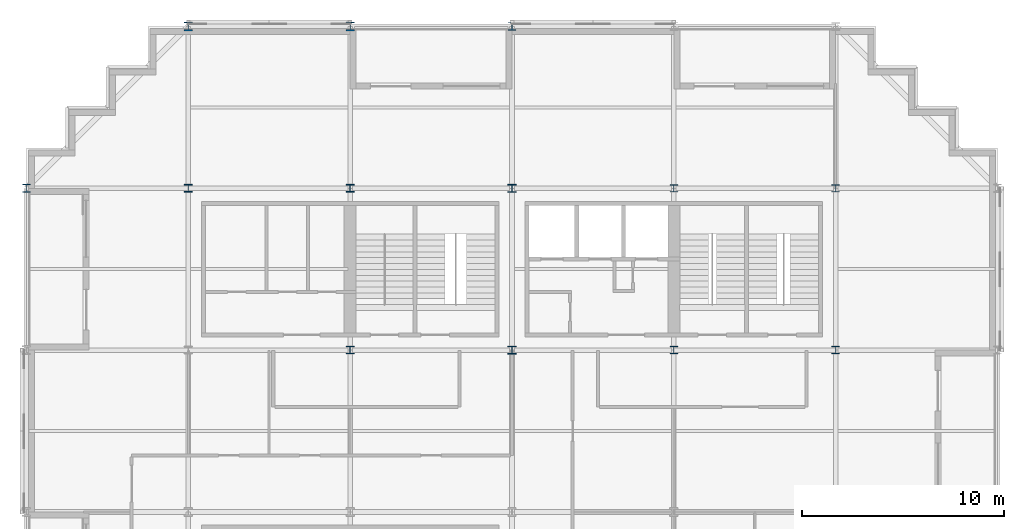
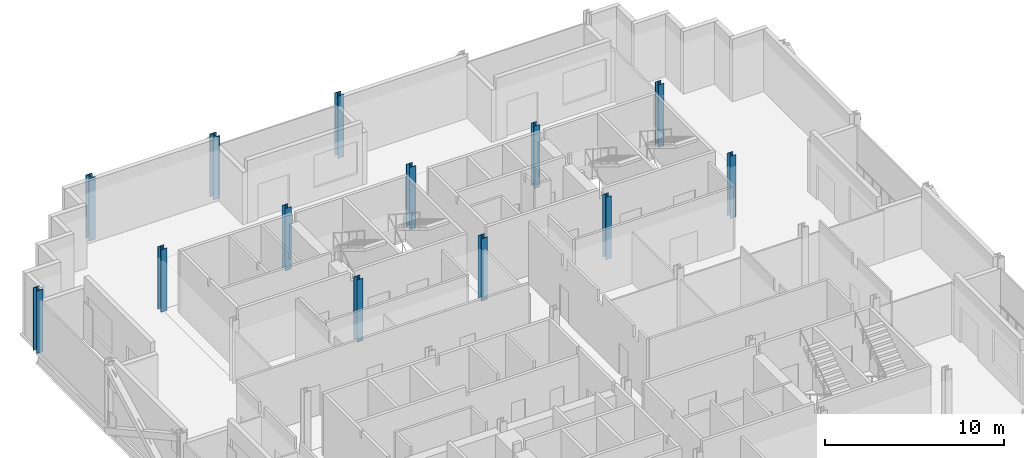
# One storey, part 2 of 13: 13 columns.
"""IFC4 building model written with IfcOpenShell, lengths in metres."""

from ifc_helpers import new_model, si_unit, direction, frame, origin, origin_2d, place, context, subcontext, project, spatial, i_section, extrude, material, material_profile, profile_set, type_object, element, save


model = new_model("IFC4")

# Units and contexts
model_context = context("Model", 3, precision=1e-05, world=origin(), true_north=direction((0.0, 1.0)))
body_context = subcontext(model_context, "Body", "Model", "MODEL_VIEW")
ifc_project = project(units=[si_unit("LENGTHUNIT", "METRE"), si_unit("AREAUNIT", "SQUARE_METRE"), si_unit("VOLUMEUNIT", "CUBIC_METRE"), si_unit("PLANEANGLEUNIT", "RADIAN"), si_unit("MASSUNIT", "GRAM", prefix="KILO")], contexts=[model_context])

# Site, building, storey
site_placement = place(None, origin())
site = spatial("IfcSite", under=ifc_project, at=site_placement, CompositionType="ELEMENT")
building_placement = place(site_placement, origin())
building = spatial("IfcBuilding", under=site, at=building_placement, Name="Immortelle Media Tower", CompositionType="ELEMENT")
storey_placement = place(building_placement, frame((0.0, 0.0, 74.39990234375)))
storey = spatial("IfcBuildingStorey", under=building, at=storey_placement, Name="L13", CompositionType="ELEMENT", Elevation=74.39990234375)

# Columns
ifc_material = material(Name="Steel ASTM A992 Gr 50", Category="steel")
ifc_material_profile_1 = material_profile(ifc_material, i_section(OverallWidth=0.39404296875, OverallDepth=0.3759765625, WebThickness=0.01708984375, FlangeThickness=0.028076171875, at=origin_2d()), Name="W14x145")
ifc_profile_set_1 = profile_set([ifc_material_profile_1], Name="Steel ASTM A992 Gr 50")
column_type_1 = type_object("IfcColumnType", Name="W14x145 column", PredefinedType="COLUMN", material=ifc_profile_set_1)
for number, where, z_axis, x_axis, name in (
    (1, (8.0, 40.0, 0.0), (0.0, 0.0, 1.0), (1.0, 0.0, 0.0), "Column 2/F"),
    (2, (16.0, 32.0, 0.0), (0.0, 0.0, 1.0), (1.0, 0.0, 0.0), "Column 3/E"),
    (3, (16.0, 40.0, 0.0), (0.0, 0.0, 1.0), (1.0, 0.0, 0.0), "Column 3/F"),
):
    element("IfcColumn", number, at=place(storey_placement, frame(where, z_axis=z_axis, x_axis=x_axis)), inside=storey, type_object=column_type_1, Name=name, PredefinedType="COLUMN", context=body_context, shape_type="SweptSolid", body=[
        extrude(i_section(OverallWidth=0.39404296875, OverallDepth=0.3759765625, WebThickness=0.01708984375, FlangeThickness=0.028076171875, at=origin_2d()), origin(), (0.0, 0.0, 1.0), 4.25),
    ])
ifc_material_profile_2 = material_profile(ifc_material, i_section(OverallWidth=0.39892578125, OverallDepth=0.385986328125, WebThickness=0.02099609375, FlangeThickness=0.032958984375, at=origin_2d()), Name="W14x176")
ifc_profile_set_2 = profile_set([ifc_material_profile_2], Name="Steel ASTM A992 Gr 50")
column_type_2 = type_object("IfcColumnType", Name="W14x176 column", PredefinedType="COLUMN", material=ifc_profile_set_2)
for number, where, z_axis, x_axis, name in (
    (4, (24.0, 32.0, 0.0), (0.0, 0.0, 1.0), (1.0, 0.0, 0.0), "Column 4/E"),
    (5, (24.0, 40.0, 0.0), (0.0, 0.0, 1.0), (1.0, 0.0, 0.0), "Column 4/F"),
):
    element("IfcColumn", number, at=place(storey_placement, frame(where, z_axis=z_axis, x_axis=x_axis)), inside=storey, type_object=column_type_2, Name=name, PredefinedType="COLUMN", context=body_context, shape_type="SweptSolid", body=[
        extrude(i_section(OverallWidth=0.39892578125, OverallDepth=0.385986328125, WebThickness=0.02099609375, FlangeThickness=0.032958984375, at=origin_2d()), origin(), (0.0, 0.0, 1.0), 4.25),
    ])
ifc_material_profile_3 = material_profile(ifc_material, i_section(OverallWidth=0.40087890625, OverallDepth=0.39892578125, WebThickness=0.02490234375, FlangeThickness=0.0400390625, at=origin_2d()), Name="W14x211")
ifc_profile_set_3 = profile_set([ifc_material_profile_3], Name="Steel ASTM A992 Gr 50")
column_type_3 = type_object("IfcColumnType", Name="W14x211 column", PredefinedType="COLUMN", material=ifc_profile_set_3)
for number, where, z_axis, x_axis, name in (
    (6, (0.0, 40.0, 0.0), (0.0, 0.0, 1.0), (1.0, 0.0, 0.0), "Column 1/F"),
    (7, (24.0, 48.0, 0.0), (0.0, 0.0, 1.0), (1.0, 0.0, 0.0), "Column 4/G"),
):
    element("IfcColumn", number, at=place(storey_placement, frame(where, z_axis=z_axis, x_axis=x_axis)), inside=storey, type_object=column_type_3, Name=name, PredefinedType="COLUMN", context=body_context, shape_type="SweptSolid", body=[
        extrude(i_section(OverallWidth=0.40087890625, OverallDepth=0.39892578125, WebThickness=0.02490234375, FlangeThickness=0.0400390625, at=origin_2d()), origin(), (0.0, 0.0, 1.0), 4.25),
    ])
ifc_material_profile_4 = material_profile(ifc_material, i_section(OverallWidth=0.410888671875, OverallDepth=0.43408203125, WebThickness=0.035888671875, FlangeThickness=0.056884765625, at=origin_2d()), Name="W14x311")
ifc_profile_set_4 = profile_set([ifc_material_profile_4], Name="Steel ASTM A992 Gr 50")
column_type_4 = type_object("IfcColumnType", Name="W14x311 column", PredefinedType="COLUMN", material=ifc_profile_set_4)
for number, where, z_axis, x_axis, name in (
    (8, (8.0, 48.0, 0.0), (0.0, 0.0, 1.0), (1.0, 0.0, 0.0), "Column 2/G"),
    (9, (16.0, 48.0, 0.0), (0.0, 0.0, 1.0), (1.0, 0.0, 0.0), "Column 3/G"),
):
    element("IfcColumn", number, at=place(storey_placement, frame(where, z_axis=z_axis, x_axis=x_axis)), inside=storey, type_object=column_type_4, Name=name, PredefinedType="COLUMN", context=body_context, shape_type="SweptSolid", body=[
        extrude(i_section(OverallWidth=0.410888671875, OverallDepth=0.43408203125, WebThickness=0.035888671875, FlangeThickness=0.056884765625, at=origin_2d()), origin(), (0.0, 0.0, 1.0), 4.25),
    ])
ifc_material_profile_5 = material_profile(ifc_material, i_section(OverallWidth=0.37109375, OverallDepth=0.361083984375, WebThickness=0.011962890625, FlangeThickness=0.02001953125, at=origin_2d()), Name="W14x99")
ifc_profile_set_5 = profile_set([ifc_material_profile_5], Name="Steel ASTM A992 Gr 50")
column_type_5 = type_object("IfcColumnType", Name="W14x99 column", PredefinedType="COLUMN", material=ifc_profile_set_5)
for number, where, z_axis, x_axis, name in (
    (10, (32.0, 32.0, 0.0), (0.0, 0.0, 1.0), (1.0, 0.0, 0.0), "Column 5/E"),
    (11, (32.0, 40.0, 0.0), (0.0, 0.0, 1.0), (1.0, 0.0, 0.0), "Column 5/F"),
    (12, (40.0, 32.0, 0.0), (0.0, 0.0, 1.0), (1.0, 0.0, 0.0), "Column 6/E"),
    (13, (40.0, 40.0, 0.0), (0.0, 0.0, 1.0), (1.0, 0.0, 0.0), "Column 6/F"),
):
    element("IfcColumn", number, at=place(storey_placement, frame(where, z_axis=z_axis, x_axis=x_axis)), inside=storey, type_object=column_type_5, Name=name, PredefinedType="COLUMN", context=body_context, shape_type="SweptSolid", body=[
        extrude(i_section(OverallWidth=0.37109375, OverallDepth=0.361083984375, WebThickness=0.011962890625, FlangeThickness=0.02001953125, at=origin_2d()), origin(), (0.0, 0.0, 1.0), 4.25),
    ])

save(model, "model.ifc")
